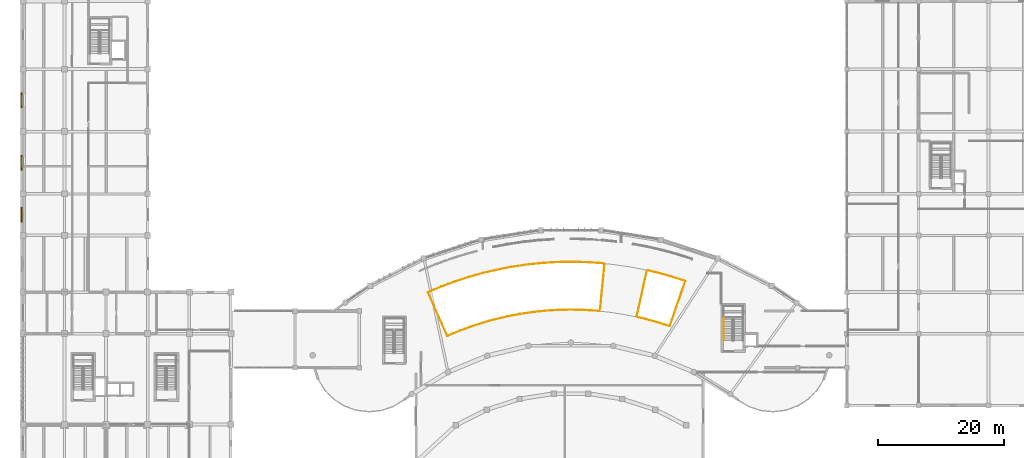
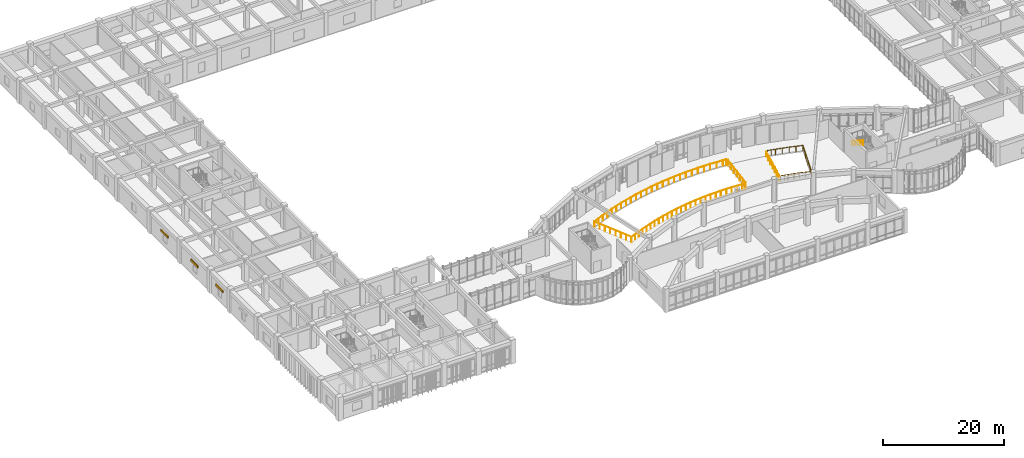
# One storey, part 63 of 68: 6 railings, 3 shading devices.
"""IFC4 building model written with IfcOpenShell, lengths in metres."""

from ifc_helpers import new_model, si_unit, direction, frame, origin, origin_2d, place, context, subcontext, project, spatial, rectangle, circle, extrude, material, layer, layer_set, type_object, element, save


model = new_model("IFC4")

# Units and contexts
model_context = context("Model", 3, precision=1e-05, world=origin(), true_north=direction((0.0, 1.0)))
body_context = subcontext(model_context, "Body", "Model", "MODEL_VIEW")
ifc_project = project(units=[si_unit("LENGTHUNIT", "METRE"), si_unit("AREAUNIT", "SQUARE_METRE"), si_unit("VOLUMEUNIT", "CUBIC_METRE"), si_unit("PLANEANGLEUNIT", "RADIAN"), si_unit("MASSUNIT", "GRAM", prefix="KILO")], contexts=[model_context])

# Site, building, storey
site_placement = place(None, origin())
site = spatial("IfcSite", under=ifc_project, at=site_placement, CompositionType="ELEMENT")
building_placement = place(site_placement, origin())
building = spatial("IfcBuilding", under=site, at=building_placement, Name="Miralva Faculty of Natural Sciences", CompositionType="ELEMENT")
storey_placement = place(building_placement, frame((0.0, 0.0, 5.39990234375)))
storey = spatial("IfcBuildingStorey", under=building, at=storey_placement, Name="L01", CompositionType="ELEMENT", Elevation=5.39990234375)

# Railings
ifc_material_1 = material(Name="White powder-coated steel balustrade", Category="steel")
railing_type_1 = type_object("IfcRailingType", Name="RL-GR02", PredefinedType="BALUSTRADE", material=ifc_material_1)
railing_1_placement = place(storey_placement, frame((70.395263671875, 23.032958984375, 0.0)))
element("IfcRailing", 1, at=railing_1_placement, inside=storey, type_object=railing_type_1, Name="Atrium curved white gallery balustrade L01-11", PredefinedType="BALUSTRADE", context=body_context, shape_type="SweptSolid", body=[
    extrude(circle(Radius=0.02392578125, at=origin_2d()), frame((0.0, 0.0, 1.09619140625), z_axis=(-0.406725561135, 0.91355039156, 0.0), x_axis=(-0.91355039156, -0.406725561135, 0.0)), (0.0, 0.0, 1.0), 7.599853515625),
    extrude(circle(Radius=0.02392578125, at=origin_2d()), frame((-3.091064453125, 6.94287109375, 1.09619140625), z_axis=(0.921826899722, 0.387601814946, 0.0), x_axis=(-0.387601814946, 0.921826899722, 0.0)), (0.0, 0.0, 1.0), 2.326171875),
    extrude(circle(Radius=0.02392578125, at=origin_2d()), frame((-0.94677734375, 7.844482421875, 1.09619140625), z_axis=(0.937158825962, 0.34890304516, 0.0), x_axis=(-0.34890304516, 0.937158825962, 0.0)), (0.0, 0.0, 1.0), 2.32666015625),
    extrude(circle(Radius=0.02392578125, at=origin_2d()), frame((1.233642578125, 8.65625, 1.09619140625), z_axis=(0.950936073236, 0.309387434488, 0.0), x_axis=(-0.309387434488, 0.950936073236, 0.0)), (0.0, 0.0, 1.0), 2.326416015625),
    extrude(circle(Radius=0.02392578125, at=origin_2d()), frame((3.44580078125, 9.3759765625, 1.09619140625), z_axis=(0.962971648832, 0.269602677185, 0.0), x_axis=(-0.269602677185, 0.962971648832, 0.0)), (0.0, 0.0, 1.0), 2.326416015625),
    extrude(circle(Radius=0.02392578125, at=origin_2d()), frame((5.68603515625, 10.003173828125, 1.09619140625), z_axis=(0.97337861683, 0.229203115812, 0.0), x_axis=(-0.229203115812, 0.97337861683, 0.0)), (0.0, 0.0, 1.0), 2.326416015625),
    extrude(circle(Radius=0.02392578125, at=origin_2d()), frame((7.950439453125, 10.536376953125, 1.09619140625), z_axis=(0.982076741474, 0.18848149473, 0.0), x_axis=(-0.18848149473, 0.982076741474, 0.0)), (0.0, 0.0, 1.0), 2.326416015625),
    extrude(circle(Radius=0.02392578125, at=origin_2d()), frame((10.235107421875, 10.974853515625, 1.09619140625), z_axis=(0.989085948158, 0.147339699864, 0.0), x_axis=(-0.147339699864, 0.989085948158, 0.0)), (0.0, 0.0, 1.0), 2.326416015625),
    extrude(circle(Radius=0.02392578125, at=origin_2d()), frame((12.5361328125, 11.317626953125, 1.09619140625), z_axis=(0.994376455982, 0.105903086773, 0.0), x_axis=(-0.105903086773, 0.994376455982, 0.0)), (0.0, 0.0, 1.0), 2.326171875),
    extrude(circle(Radius=0.02392578125, at=origin_2d()), frame((14.84912109375, 11.56396484375, 1.09619140625), z_axis=(0.99792182747, 0.064436218537, 0.0), x_axis=(-0.064436218537, 0.99792182747, 0.0)), (0.0, 0.0, 1.0), 2.326416015625),
    extrude(circle(Radius=0.02392578125, at=origin_2d()), frame((17.170654296875, 11.7138671875, 1.09619140625), z_axis=(0.99974069661, 0.022771463332, 0.0), x_axis=(-0.022771463332, 0.99974069661, 0.0)), (0.0, 0.0, 1.0), 2.326416015625),
    extrude(circle(Radius=0.02392578125, at=origin_2d()), frame((19.49658203125, 11.766845703125, 1.09619140625), z_axis=(0.999821562377, -0.018890299279, 0.0), x_axis=(0.018890299279, 0.999821562377, 0.0)), (0.0, 0.0, 1.0), 2.326416015625),
    extrude(circle(Radius=0.02392578125, at=origin_2d()), frame((21.822509765625, 11.722900390625, 1.09619140625), z_axis=(0.998164846104, -0.060555264031, 0.0), x_axis=(0.060555264031, 0.998164846104, 0.0)), (0.0, 0.0, 1.0), 2.326171875),
    extrude(circle(Radius=0.02392578125, at=origin_2d()), frame((24.14453125, 11.58203125, 1.09619140625), z_axis=(0.994781438611, -0.102028865499, 0.0), x_axis=(0.102028865499, 0.994781438611, 0.0)), (0.0, 0.0, 1.0), 0.6318359375),
    extrude(circle(Radius=0.02099609375, at=origin_2d()), origin(), (0.0, 0.0, 1.0), 1.072021484375),
    extrude(circle(Radius=0.02099609375, at=origin_2d()), frame((-0.441650390625, 0.991943359375, 0.0)), (0.0, 0.0, 1.0), 1.072021484375),
    extrude(circle(Radius=0.02099609375, at=origin_2d()), frame((-0.883056640625, 1.983642578125, 0.0)), (0.0, 0.0, 1.0), 1.072021484375),
    extrude(circle(Radius=0.02099609375, at=origin_2d()), frame((-1.32470703125, 2.9755859375, 0.0)), (0.0, 0.0, 1.0), 1.072021484375),
    extrude(circle(Radius=0.02099609375, at=origin_2d()), frame((-1.766357421875, 3.96728515625, 0.0)), (0.0, 0.0, 1.0), 1.072021484375),
    extrude(circle(Radius=0.02099609375, at=origin_2d()), frame((-2.2080078125, 4.959228515625, 0.0)), (0.0, 0.0, 1.0), 1.072021484375),
    extrude(circle(Radius=0.02099609375, at=origin_2d()), frame((-2.6494140625, 5.950927734375, 0.0)), (0.0, 0.0, 1.0), 1.072021484375),
    extrude(circle(Radius=0.02099609375, at=origin_2d()), frame((-3.091064453125, 6.94287109375, 0.0)), (0.0, 0.0, 1.0), 1.072021484375),
    extrude(circle(Radius=0.02099609375, at=origin_2d()), frame((-2.01904296875, 7.3935546875, 0.0)), (0.0, 0.0, 1.0), 1.072021484375),
    extrude(circle(Radius=0.02099609375, at=origin_2d()), frame((-0.94677734375, 7.844482421875, 0.0)), (0.0, 0.0, 1.0), 1.072021484375),
    extrude(circle(Radius=0.02099609375, at=origin_2d()), frame((0.1435546875, 8.25048828125, 0.0)), (0.0, 0.0, 1.0), 1.072021484375),
    extrude(circle(Radius=0.02099609375, at=origin_2d()), frame((1.233642578125, 8.65625, 0.0)), (0.0, 0.0, 1.0), 1.072021484375),
    extrude(circle(Radius=0.02099609375, at=origin_2d()), frame((2.33984375, 9.01611328125, 0.0)), (0.0, 0.0, 1.0), 1.072021484375),
    extrude(circle(Radius=0.02099609375, at=origin_2d()), frame((3.44580078125, 9.3759765625, 0.0)), (0.0, 0.0, 1.0), 1.072021484375),
    extrude(circle(Radius=0.02099609375, at=origin_2d()), frame((4.56591796875, 9.689453125, 0.0)), (0.0, 0.0, 1.0), 1.072021484375),
    extrude(circle(Radius=0.02099609375, at=origin_2d()), frame((5.68603515625, 10.003173828125, 0.0)), (0.0, 0.0, 1.0), 1.072021484375),
    extrude(circle(Radius=0.02099609375, at=origin_2d()), frame((6.818359375, 10.269775390625, 0.0)), (0.0, 0.0, 1.0), 1.072021484375),
    extrude(circle(Radius=0.02099609375, at=origin_2d()), frame((7.950439453125, 10.536376953125, 0.0)), (0.0, 0.0, 1.0), 1.072021484375),
    extrude(circle(Radius=0.02099609375, at=origin_2d()), frame((9.0927734375, 10.755615234375, 0.0)), (0.0, 0.0, 1.0), 1.072021484375),
    extrude(circle(Radius=0.02099609375, at=origin_2d()), frame((10.235107421875, 10.974853515625, 0.0)), (0.0, 0.0, 1.0), 1.072021484375),
    extrude(circle(Radius=0.02099609375, at=origin_2d()), frame((11.3857421875, 11.146240234375, 0.0)), (0.0, 0.0, 1.0), 1.072021484375),
    extrude(circle(Radius=0.02099609375, at=origin_2d()), frame((12.5361328125, 11.317626953125, 0.0)), (0.0, 0.0, 1.0), 1.072021484375),
    extrude(circle(Radius=0.02099609375, at=origin_2d()), frame((13.692626953125, 11.44091796875, 0.0)), (0.0, 0.0, 1.0), 1.072021484375),
    extrude(circle(Radius=0.02099609375, at=origin_2d()), frame((14.84912109375, 11.56396484375, 0.0)), (0.0, 0.0, 1.0), 1.072021484375),
    extrude(circle(Radius=0.02099609375, at=origin_2d()), frame((16.009765625, 11.638916015625, 0.0)), (0.0, 0.0, 1.0), 1.072021484375),
    extrude(circle(Radius=0.02099609375, at=origin_2d()), frame((17.170654296875, 11.7138671875, 0.0)), (0.0, 0.0, 1.0), 1.072021484375),
    extrude(circle(Radius=0.02099609375, at=origin_2d()), frame((18.33349609375, 11.740234375, 0.0)), (0.0, 0.0, 1.0), 1.072021484375),
    extrude(circle(Radius=0.02099609375, at=origin_2d()), frame((19.49658203125, 11.766845703125, 0.0)), (0.0, 0.0, 1.0), 1.072021484375),
    extrude(circle(Radius=0.02099609375, at=origin_2d()), frame((20.65966796875, 11.744873046875, 0.0)), (0.0, 0.0, 1.0), 1.072021484375),
    extrude(circle(Radius=0.02099609375, at=origin_2d()), frame((21.822509765625, 11.722900390625, 0.0)), (0.0, 0.0, 1.0), 1.072021484375),
    extrude(circle(Radius=0.02099609375, at=origin_2d()), frame((22.9833984375, 11.65234375, 0.0)), (0.0, 0.0, 1.0), 1.072021484375),
    extrude(circle(Radius=0.02099609375, at=origin_2d()), frame((24.14453125, 11.58203125, 0.0)), (0.0, 0.0, 1.0), 1.072021484375),
    extrude(circle(Radius=0.02099609375, at=origin_2d()), frame((24.77294921875, 11.517578125, 0.0)), (0.0, 0.0, 1.0), 1.072021484375),
])
railing_2_placement = place(storey_placement, frame((102.25048828125, 33.42724609375, 0.0)))
element("IfcRailing", 2, at=railing_2_placement, inside=storey, type_object=railing_type_1, Name="Atrium curved white gallery balustrade L01-21", PredefinedType="BALUSTRADE", context=body_context, shape_type="SweptSolid", body=[
    extrude(circle(Radius=0.02392578125, at=origin_2d()), frame((0.0, 0.0, 1.09619140625), z_axis=(0.974234293359, -0.225538337415, 0.0), x_axis=(0.225538337415, 0.974234293359, 0.0)), (0.0, 0.0, 1.0), 1.4970703125),
    extrude(circle(Radius=0.02392578125, at=origin_2d()), frame((1.45849609375, -0.337646484375, 1.09619140625), z_axis=(0.964028785432, -0.265797857135, 0.0), x_axis=(0.265797857135, 0.964028785432, 0.0)), (0.0, 0.0, 1.0), 2.32666015625),
    extrude(circle(Radius=0.02392578125, at=origin_2d()), frame((3.701416015625, -0.9560546875, 1.09619140625), z_axis=(0.952120244936, -0.30572379558, 0.0), x_axis=(0.30572379558, 0.952120244936, 0.0)), (0.0, 0.0, 1.0), 2.326171875),
    extrude(circle(Radius=0.02392578125, at=origin_2d()), frame((5.916259765625, -1.667236328125, 1.09619140625), z_axis=(-0.325569907155, -0.945517972095, 0.0), x_axis=(0.945517972095, -0.325569907155, 0.0)), (0.0, 0.0, 1.0), 7.60009765625),
    extrude(circle(Radius=0.02392578125, at=origin_2d()), frame((3.44189453125, -8.853271484375, 1.09619140625), z_axis=(-0.952100584939, 0.305785016242, 0.0), x_axis=(-0.305785016242, -0.952100584939, 0.0)), (0.0, 0.0, 1.0), 2.009521484375),
    extrude(circle(Radius=0.02392578125, at=origin_2d()), frame((1.528564453125, -8.23876953125, 1.09619140625), z_axis=(-0.964022682482, 0.265819991086, 0.0), x_axis=(-0.265819991086, -0.964022682482, 0.0)), (0.0, 0.0, 1.0), 2.009521484375),
    extrude(circle(Radius=0.02392578125, at=origin_2d()), frame((-0.40869140625, -7.70458984375, 1.09619140625), z_axis=(-0.974228757473, 0.225562248866, 0.0), x_axis=(-0.225562248866, -0.974228757473, 0.0)), (0.0, 0.0, 1.0), 1.2685546875),
    extrude(circle(Radius=0.02099609375, at=origin_2d()), origin(), (0.0, 0.0, 1.0), 1.072021484375),
    extrude(circle(Radius=0.02099609375, at=origin_2d()), frame((0.729248046875, -0.1689453125, 0.0)), (0.0, 0.0, 1.0), 1.072021484375),
    extrude(circle(Radius=0.02099609375, at=origin_2d()), frame((1.45849609375, -0.337646484375, 0.0)), (0.0, 0.0, 1.0), 1.072021484375),
    extrude(circle(Radius=0.02099609375, at=origin_2d()), frame((2.580078125, -0.64697265625, 0.0)), (0.0, 0.0, 1.0), 1.072021484375),
    extrude(circle(Radius=0.02099609375, at=origin_2d()), frame((3.701416015625, -0.9560546875, 0.0)), (0.0, 0.0, 1.0), 1.072021484375),
    extrude(circle(Radius=0.02099609375, at=origin_2d()), frame((4.808837890625, -1.3115234375, 0.0)), (0.0, 0.0, 1.0), 1.072021484375),
    extrude(circle(Radius=0.02099609375, at=origin_2d()), frame((5.916259765625, -1.667236328125, 0.0)), (0.0, 0.0, 1.0), 1.072021484375),
    extrude(circle(Radius=0.02099609375, at=origin_2d()), frame((5.562744140625, -2.69384765625, 0.0)), (0.0, 0.0, 1.0), 1.072021484375),
    extrude(circle(Radius=0.02099609375, at=origin_2d()), frame((5.209228515625, -3.720458984375, 0.0)), (0.0, 0.0, 1.0), 1.072021484375),
    extrude(circle(Radius=0.02099609375, at=origin_2d()), frame((4.855712890625, -4.7470703125, 0.0)), (0.0, 0.0, 1.0), 1.072021484375),
    extrude(circle(Radius=0.02099609375, at=origin_2d()), frame((4.50244140625, -5.7734375, 0.0)), (0.0, 0.0, 1.0), 1.072021484375),
    extrude(circle(Radius=0.02099609375, at=origin_2d()), frame((4.14892578125, -6.800048828125, 0.0)), (0.0, 0.0, 1.0), 1.072021484375),
    extrude(circle(Radius=0.02099609375, at=origin_2d()), frame((3.79541015625, -7.82666015625, 0.0)), (0.0, 0.0, 1.0), 1.072021484375),
    extrude(circle(Radius=0.02099609375, at=origin_2d()), frame((3.44189453125, -8.853271484375, 0.0)), (0.0, 0.0, 1.0), 1.072021484375),
    extrude(circle(Radius=0.02099609375, at=origin_2d()), frame((2.4853515625, -8.5458984375, 0.0)), (0.0, 0.0, 1.0), 1.072021484375),
    extrude(circle(Radius=0.02099609375, at=origin_2d()), frame((1.528564453125, -8.23876953125, 0.0)), (0.0, 0.0, 1.0), 1.072021484375),
    extrude(circle(Radius=0.02099609375, at=origin_2d()), frame((0.56005859375, -7.9716796875, 0.0)), (0.0, 0.0, 1.0), 1.072021484375),
    extrude(circle(Radius=0.02099609375, at=origin_2d()), frame((-0.40869140625, -7.70458984375, 0.0)), (0.0, 0.0, 1.0), 1.072021484375),
    extrude(circle(Radius=0.02099609375, at=origin_2d()), frame((-1.026611328125, -7.5615234375, 0.0)), (0.0, 0.0, 1.0), 1.072021484375),
    extrude(circle(Radius=0.02099609375, at=origin_2d()), frame((-1.64453125, -7.41845703125, 0.0)), (0.0, 0.0, 1.0), 1.072021484375),
])
railing_3_placement = place(storey_placement, frame((94.439697265625, 26.987060546875, 0.0)))
element("IfcRailing", 3, at=railing_3_placement, inside=storey, type_object=railing_type_1, Name="Atrium curved white gallery balustrade L01-31", PredefinedType="BALUSTRADE", context=body_context, shape_type="SweptSolid", body=[
    extrude(circle(Radius=0.02392578125, at=origin_2d()), frame((0.0, 0.0, 1.09619140625), z_axis=(-0.994769237161, 0.102147759633, 0.0), x_axis=(-0.102147759633, -0.994769237161, 0.0)), (0.0, 0.0, 1.0), 0.52099609375),
    extrude(circle(Radius=0.02392578125, at=origin_2d()), frame((-0.518310546875, 0.05322265625, 1.09619140625), z_axis=(-0.998167607188, 0.060509734435, 0.0), x_axis=(-0.060509734435, -0.998167607188, 0.0)), (0.0, 0.0, 1.0), 2.00927734375),
    extrude(circle(Radius=0.02392578125, at=origin_2d()), frame((-2.52392578125, 0.1748046875, 1.09619140625), z_axis=(-0.999820401576, 0.018951638232, 0.0), x_axis=(-0.018951638232, -0.999820401576, 0.0)), (0.0, 0.0, 1.0), 2.009521484375),
    extrude(circle(Radius=0.02392578125, at=origin_2d()), frame((-4.533203125, 0.212890625, 1.09619140625), z_axis=(-0.999739131518, -0.022840072515, 0.0), x_axis=(0.022840072515, -0.999739131518, 0.0)), (0.0, 0.0, 1.0), 2.009521484375),
    extrude(circle(Radius=0.02392578125, at=origin_2d()), frame((-6.542236328125, 0.1669921875, 1.09619140625), z_axis=(-0.997924805349, -0.064390083618, 0.0), x_axis=(0.064390083618, -0.997924805349, 0.0)), (0.0, 0.0, 1.0), 2.009521484375),
    extrude(circle(Radius=0.02392578125, at=origin_2d()), frame((-8.547607421875, 0.03759765625, 1.09619140625), z_axis=(-0.99437149569, -0.105949651056, 0.0), x_axis=(0.105949651056, -0.99437149569, 0.0)), (0.0, 0.0, 1.0), 2.00927734375),
    extrude(circle(Radius=0.02392578125, at=origin_2d()), frame((-10.545654296875, -0.17529296875, 1.09619140625), z_axis=(-0.989081136622, -0.147371995912, 0.0), x_axis=(0.147371995912, -0.989081136622, 0.0)), (0.0, 0.0, 1.0), 2.009521484375),
    extrude(circle(Radius=0.02392578125, at=origin_2d()), frame((-12.533203125, -0.471435546875, 1.09619140625), z_axis=(-0.982087808033, -0.188423823634, 0.0), x_axis=(0.188423823634, -0.982087808033, 0.0)), (0.0, 0.0, 1.0), 2.009521484375),
    extrude(circle(Radius=0.02392578125, at=origin_2d()), frame((-14.5068359375, -0.85009765625, 1.09619140625), z_axis=(-0.973394856967, -0.229134136326, 0.0), x_axis=(0.229134136326, -0.973394856967, 0.0)), (0.0, 0.0, 1.0), 2.009521484375),
    extrude(circle(Radius=0.02392578125, at=origin_2d()), frame((-16.462890625, -1.310546875, 1.09619140625), z_axis=(-0.962972851952, -0.269598379824, 0.0), x_axis=(0.269598379824, -0.962972851952, 0.0)), (0.0, 0.0, 1.0), 2.009521484375),
    extrude(circle(Radius=0.02392578125, at=origin_2d()), frame((-18.39794921875, -1.852294921875, 1.09619140625), z_axis=(-0.950871431487, -0.309586047461, 0.0), x_axis=(0.309586047461, -0.950871431487, 0.0)), (0.0, 0.0, 1.0), 2.00927734375),
    extrude(circle(Radius=0.02392578125, at=origin_2d()), frame((-20.30859375, -2.474365234375, 1.09619140625), z_axis=(-0.937195067945, -0.348805683182, 0.0), x_axis=(0.348805683182, -0.937195067945, 0.0)), (0.0, 0.0, 1.0), 2.009521484375),
    extrude(circle(Radius=0.02392578125, at=origin_2d()), frame((-22.19189453125, -3.17529296875, 1.09619140625), z_axis=(-0.921850195856, -0.38754640548, 0.0), x_axis=(0.38754640548, -0.921850195856, 0.0)), (0.0, 0.0, 1.0), 2.009521484375),
    extrude(circle(Radius=0.02099609375, at=origin_2d()), origin(), (0.0, 0.0, 1.0), 1.072021484375),
    extrude(circle(Radius=0.02099609375, at=origin_2d()), frame((-0.518310546875, 0.05322265625, 0.0)), (0.0, 0.0, 1.0), 1.072021484375),
    extrude(circle(Radius=0.02099609375, at=origin_2d()), frame((-1.52099609375, 0.114013671875, 0.0)), (0.0, 0.0, 1.0), 1.072021484375),
    extrude(circle(Radius=0.02099609375, at=origin_2d()), frame((-2.52392578125, 0.1748046875, 0.0)), (0.0, 0.0, 1.0), 1.072021484375),
    extrude(circle(Radius=0.02099609375, at=origin_2d()), frame((-3.528564453125, 0.19384765625, 0.0)), (0.0, 0.0, 1.0), 1.072021484375),
    extrude(circle(Radius=0.02099609375, at=origin_2d()), frame((-4.533203125, 0.212890625, 0.0)), (0.0, 0.0, 1.0), 1.072021484375),
    extrude(circle(Radius=0.02099609375, at=origin_2d()), frame((-5.53759765625, 0.18994140625, 0.0)), (0.0, 0.0, 1.0), 1.072021484375),
    extrude(circle(Radius=0.02099609375, at=origin_2d()), frame((-6.542236328125, 0.1669921875, 0.0)), (0.0, 0.0, 1.0), 1.072021484375),
    extrude(circle(Radius=0.02099609375, at=origin_2d()), frame((-7.544921875, 0.102294921875, 0.0)), (0.0, 0.0, 1.0), 1.072021484375),
    extrude(circle(Radius=0.02099609375, at=origin_2d()), frame((-8.547607421875, 0.03759765625, 0.0)), (0.0, 0.0, 1.0), 1.072021484375),
    extrude(circle(Radius=0.02099609375, at=origin_2d()), frame((-9.546630859375, -0.06884765625, 0.0)), (0.0, 0.0, 1.0), 1.072021484375),
    extrude(circle(Radius=0.02099609375, at=origin_2d()), frame((-10.545654296875, -0.17529296875, 0.0)), (0.0, 0.0, 1.0), 1.072021484375),
    extrude(circle(Radius=0.02099609375, at=origin_2d()), frame((-11.53955078125, -0.3232421875, 0.0)), (0.0, 0.0, 1.0), 1.072021484375),
    extrude(circle(Radius=0.02099609375, at=origin_2d()), frame((-12.533203125, -0.471435546875, 0.0)), (0.0, 0.0, 1.0), 1.072021484375),
    extrude(circle(Radius=0.02099609375, at=origin_2d()), frame((-13.52001953125, -0.66064453125, 0.0)), (0.0, 0.0, 1.0), 1.072021484375),
    extrude(circle(Radius=0.02099609375, at=origin_2d()), frame((-14.5068359375, -0.85009765625, 0.0)), (0.0, 0.0, 1.0), 1.072021484375),
    extrude(circle(Radius=0.02099609375, at=origin_2d()), frame((-15.48486328125, -1.080322265625, 0.0)), (0.0, 0.0, 1.0), 1.072021484375),
    extrude(circle(Radius=0.02099609375, at=origin_2d()), frame((-16.462890625, -1.310546875, 0.0)), (0.0, 0.0, 1.0), 1.072021484375),
    extrude(circle(Radius=0.02099609375, at=origin_2d()), frame((-17.430419921875, -1.58154296875, 0.0)), (0.0, 0.0, 1.0), 1.072021484375),
    extrude(circle(Radius=0.02099609375, at=origin_2d()), frame((-18.39794921875, -1.852294921875, 0.0)), (0.0, 0.0, 1.0), 1.072021484375),
    extrude(circle(Radius=0.02099609375, at=origin_2d()), frame((-19.353271484375, -2.163330078125, 0.0)), (0.0, 0.0, 1.0), 1.072021484375),
    extrude(circle(Radius=0.02099609375, at=origin_2d()), frame((-20.30859375, -2.474365234375, 0.0)), (0.0, 0.0, 1.0), 1.072021484375),
    extrude(circle(Radius=0.02099609375, at=origin_2d()), frame((-21.250244140625, -2.82470703125, 0.0)), (0.0, 0.0, 1.0), 1.072021484375),
    extrude(circle(Radius=0.02099609375, at=origin_2d()), frame((-22.19189453125, -3.17529296875, 0.0)), (0.0, 0.0, 1.0), 1.072021484375),
    extrude(circle(Radius=0.02099609375, at=origin_2d()), frame((-23.1181640625, -3.564697265625, 0.0)), (0.0, 0.0, 1.0), 1.072021484375),
    extrude(circle(Radius=0.02099609375, at=origin_2d()), frame((-24.04443359375, -3.9541015625, 0.0)), (0.0, 0.0, 1.0), 1.072021484375),
])
railing_4_placement = place(storey_placement, frame((102.02099609375, 33.2236328125, 0.0)))
element("IfcRailing", 4, at=railing_4_placement, inside=storey, type_object=railing_type_1, Name="Atrium bridge balustrade L01-1", PredefinedType="BALUSTRADE", context=body_context, shape_type="SweptSolid", body=[
    extrude(circle(Radius=0.02392578125, at=origin_2d()), frame((0.0, 0.0, 1.09619140625), z_axis=(-0.216438804417, -0.976296186586, 0.0), x_axis=(0.976296186586, -0.216438804417, 0.0)), (0.0, 0.0, 1.0), 7.098388671875),
    extrude(circle(Radius=0.02099609375, at=origin_2d()), origin(), (0.0, 0.0, 1.0), 1.072021484375),
    extrude(circle(Radius=0.02099609375, at=origin_2d()), frame((-0.256103515625, -1.155029296875, 0.0)), (0.0, 0.0, 1.0), 1.072021484375),
    extrude(circle(Radius=0.02099609375, at=origin_2d()), frame((-0.51220703125, -2.31005859375, 0.0)), (0.0, 0.0, 1.0), 1.072021484375),
    extrude(circle(Radius=0.02099609375, at=origin_2d()), frame((-0.76806640625, -3.465087890625, 0.0)), (0.0, 0.0, 1.0), 1.072021484375),
    extrude(circle(Radius=0.02099609375, at=origin_2d()), frame((-1.024169921875, -4.6201171875, 0.0)), (0.0, 0.0, 1.0), 1.072021484375),
    extrude(circle(Radius=0.02099609375, at=origin_2d()), frame((-1.2802734375, -5.775146484375, 0.0)), (0.0, 0.0, 1.0), 1.072021484375),
    extrude(circle(Radius=0.02099609375, at=origin_2d()), frame((-1.536376953125, -6.93017578125, 0.0)), (0.0, 0.0, 1.0), 1.072021484375),
])
railing_5_placement = place(storey_placement, frame((94.642822265625, 27.217529296875, 0.0)))
element("IfcRailing", 5, at=railing_5_placement, inside=storey, type_object=railing_type_1, Name="Atrium bridge balustrade L01-2", PredefinedType="BALUSTRADE", context=body_context, shape_type="SweptSolid", body=[
    extrude(circle(Radius=0.02392578125, at=origin_2d()), frame((0.0, 0.0, 1.09619140625), z_axis=(0.095821852024, 0.995398499434, 0.0), x_axis=(-0.995398499434, 0.095821852024, 0.0)), (0.0, 0.0, 1.0), 7.098388671875),
    extrude(circle(Radius=0.02099609375, at=origin_2d()), origin(), (0.0, 0.0, 1.0), 1.072021484375),
    extrude(circle(Radius=0.02099609375, at=origin_2d()), frame((0.11328125, 1.177734375, 0.0)), (0.0, 0.0, 1.0), 1.072021484375),
    extrude(circle(Radius=0.02099609375, at=origin_2d()), frame((0.226806640625, 2.355224609375, 0.0)), (0.0, 0.0, 1.0), 1.072021484375),
    extrude(circle(Radius=0.02099609375, at=origin_2d()), frame((0.340087890625, 3.53271484375, 0.0)), (0.0, 0.0, 1.0), 1.072021484375),
    extrude(circle(Radius=0.02099609375, at=origin_2d()), frame((0.453369140625, 4.71044921875, 0.0)), (0.0, 0.0, 1.0), 1.072021484375),
    extrude(circle(Radius=0.02099609375, at=origin_2d()), frame((0.56689453125, 5.88818359375, 0.0)), (0.0, 0.0, 1.0), 1.072021484375),
    extrude(circle(Radius=0.02099609375, at=origin_2d()), frame((0.68017578125, 7.065673828125, 0.0)), (0.0, 0.0, 1.0), 1.072021484375),
])
ifc_material_2 = material(Name="Steel S355", Category="steel")
railing_type_2 = type_object("IfcRailingType", Name="RL-HR01", PredefinedType="HANDRAIL", material=ifc_material_2)
railing_6_placement = place(storey_placement, frame((114.25, 25.93994140625, 2.571533203125)))
element("IfcRailing", 6, at=railing_6_placement, inside=storey, type_object=railing_type_2, Name="Stair Core C3 handrail L01-2", PredefinedType="HANDRAIL", context=body_context, shape_type="SweptSolid", body=[
    extrude(circle(Radius=0.02392578125, at=origin_2d()), frame((0.0, 0.0, 0.8759765625), z_axis=(0.0, -0.852850264322, 0.5221555579), x_axis=(1.0, 0.0, 0.0)), (0.0, 0.0, 1.0), 4.267822265625),
    extrude(circle(Radius=0.02099609375, at=origin_2d()), origin(), (0.0, 0.0, 1.0), 0.851806640625),
    extrude(circle(Radius=0.02099609375, at=origin_2d()), frame((0.0, -0.909912109375, 0.55712890625)), (0.0, 0.0, 1.0), 0.851806640625),
    extrude(circle(Radius=0.02099609375, at=origin_2d()), frame((0.0, -1.81982421875, 1.1142578125)), (0.0, 0.0, 1.0), 0.851806640625),
    extrude(circle(Radius=0.02099609375, at=origin_2d()), frame((0.0, -2.72998046875, 1.67138671875)), (0.0, 0.0, 1.0), 0.851806640625),
    extrude(circle(Radius=0.02099609375, at=origin_2d()), frame((0.0, -3.639892578125, 2.228515625)), (0.0, 0.0, 1.0), 0.851806640625),
])

# Shading devices
ifc_material_3 = material(Name="Anodised aluminium", Category="aluminium")
ifc_layer = layer(ifc_material_3, 0.1201171875, Name="SHD-SH01")
ifc_layer_set = layer_set([ifc_layer], Name="Anodised aluminium")
shading_device_type = type_object("IfcShadingDeviceType", Name="SHD-SH01", PredefinedType="SHUTTER", material=ifc_layer_set)
for number, where, z_axis, x_axis, name in (
    (7, (2.780029296875, 42.300048828125, 2.52490234375), (0.0, 0.0, 1.0), (1.0, 0.0, 0.0), "West laboratory sun-shutter L01-2"),
    (8, (2.780029296875, 50.550048828125, 2.52490234375), (0.0, 0.0, 1.0), (1.0, 0.0, 0.0), "West laboratory sun-shutter L01-3"),
    (9, (2.780029296875, 60.449951171875, 2.52490234375), (0.0, 0.0, 1.0), (1.0, 0.0, 0.0), "West laboratory sun-shutter L01-4"),
):
    element("IfcShadingDevice", number, at=place(storey_placement, frame(where, z_axis=z_axis, x_axis=x_axis)), inside=storey, type_object=shading_device_type, Name=name, PredefinedType="SHUTTER", context=body_context, shape_type="SweptSolid", body=[
        extrude(rectangle(XDim=0.199951171875, YDim=2.39990234375, at=origin_2d()), origin(), (0.0, 0.0, 1.0), 0.449951171875),
    ])

save(model, "model.ifc")
